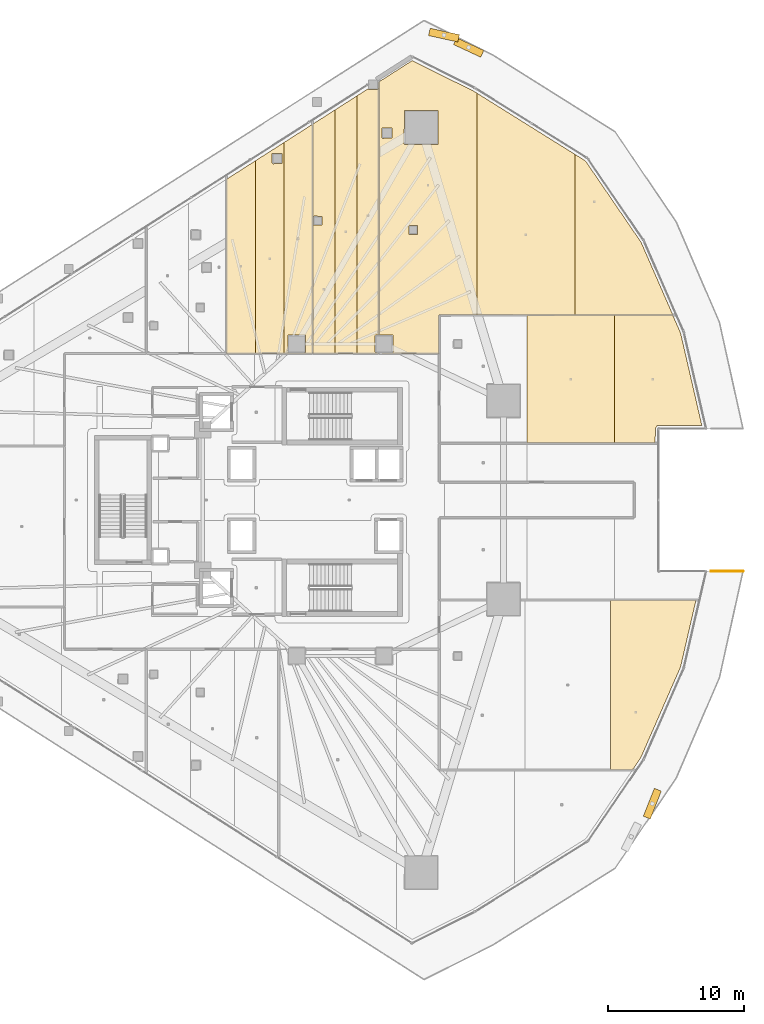
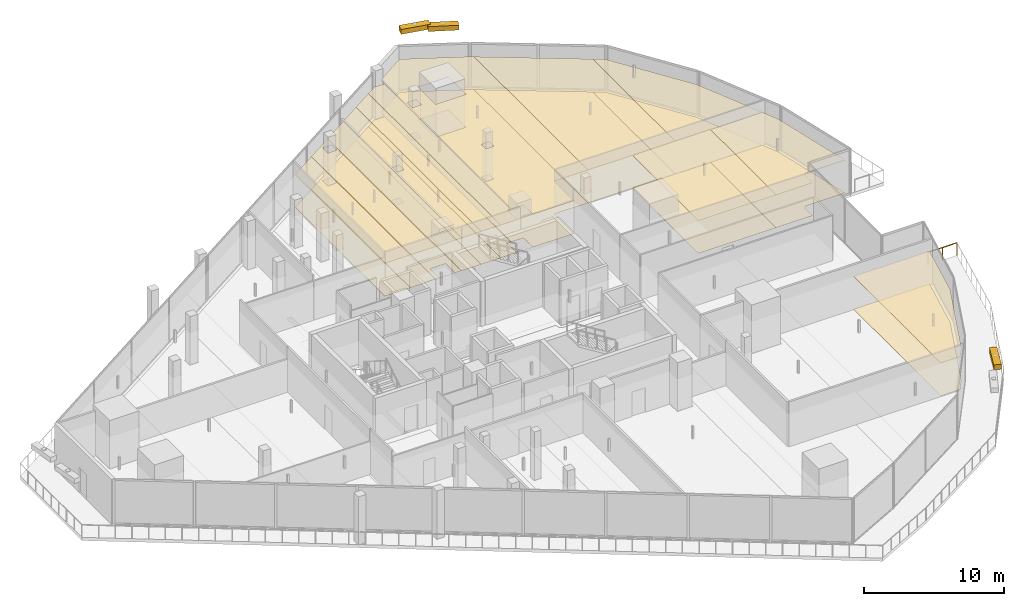
# One storey, part 45 of 45: 24 coverings, 3 shading devices, 1 railing.
"""IFC4 building model written with IfcOpenShell, lengths in metres."""

from ifc_helpers import new_model, si_unit, direction, frame, origin, origin_2d, place, context, subcontext, project, spatial, polyline, rectangle, circle, outline, extrude, material, layer, layer_set, type_object, element, save


model = new_model("IFC4")

# Units and contexts
model_context = context("Model", 3, precision=1e-05, world=origin(), true_north=direction((0.0, 1.0)))
body_context = subcontext(model_context, "Body", "Model", "MODEL_VIEW")
ifc_project = project(units=[si_unit("LENGTHUNIT", "METRE"), si_unit("AREAUNIT", "SQUARE_METRE"), si_unit("VOLUMEUNIT", "CUBIC_METRE"), si_unit("PLANEANGLEUNIT", "RADIAN"), si_unit("MASSUNIT", "GRAM", prefix="KILO")], contexts=[model_context])

# Site, building, storey
site_placement = place(None, origin())
site = spatial("IfcSite", under=ifc_project, at=site_placement, CompositionType="ELEMENT")
building_placement = place(site_placement, origin())
building = spatial("IfcBuilding", under=site, at=building_placement, Name="Qorvath Tower", CompositionType="ELEMENT")
storey_placement = place(building_placement, frame((0.0, 0.0, 66.0)))
storey = spatial("IfcBuildingStorey", under=building, at=storey_placement, Name="L14", CompositionType="ELEMENT", Elevation=66.0)

# Coverings
ifc_material_1 = material(Name="Acoustic mineral fibre ceiling tile", Category="gypsum")
ifc_layer_1 = layer(ifc_material_1, 0.030029296875)
ifc_layer_set_1 = layer_set([ifc_layer_1], Name="COV-CEIL")
covering_type_1 = type_object("IfcCoveringType", Name="COV-CEIL", PredefinedType="CEILING", material=ifc_layer_set_1)
covering_1_placement = place(storey_placement, frame((0.0, 0.0, 2.85009765625)))
element("IfcCovering", 1, at=covering_1_placement, inside=storey, type_object=covering_type_1, Name="L14 Suspended Acoustic Ceiling 012", PredefinedType="CEILING", context=body_context, shape_type="SweptSolid", body=[
    extrude(outline(polyline([(-28.74658203125, 10.762939453125), (-26.646484375, 10.762939453125), (-26.646484375, 24.887939453125), (-28.74658203125, 23.545654296875), (-28.74658203125, 10.762939453125)])), origin(), (0.0, 0.0, 1.0), 0.030029296875),
])
covering_2_placement = place(storey_placement, frame((0.0, 0.0, 2.85009765625)))
element("IfcCovering", 2, at=covering_2_placement, inside=storey, type_object=covering_type_1, Name="L14 Suspended Acoustic Ceiling 013", PredefinedType="CEILING", context=body_context, shape_type="SweptSolid", body=[
    extrude(outline(polyline([(-26.646484375, 24.887939453125), (-26.646484375, 10.762939453125), (-24.54638671875, 10.762939453125), (-24.54638671875, 26.230224609375), (-26.646484375, 24.887939453125)]), holes=[polyline([(-25.422607421875, 24.73388671875), (-25.405029296875, 25.42626953125), (-24.670166015625, 25.42626953125), (-24.670166015625, 24.69140625), (-25.362548828125, 24.673828125), (-25.422607421875, 24.73388671875)])]), origin(), (0.0, 0.0, 1.0), 0.030029296875),
])
covering_3_placement = place(storey_placement, frame((0.0, 0.0, 2.85009765625)))
element("IfcCovering", 3, at=covering_3_placement, inside=storey, type_object=covering_type_1, Name="L14 Suspended Acoustic Ceiling 014", PredefinedType="CEILING", context=body_context, shape_type="SweptSolid", body=[
    extrude(outline(polyline([(-24.54638671875, 26.230224609375), (-24.54638671875, 10.762939453125), (-22.4462890625, 10.762939453125), (-22.4462890625, 27.572509765625), (-24.54638671875, 26.230224609375)]), holes=[polyline([(-24.260009765625, 10.85009765625), (-24.242431640625, 12.092529296875), (-22.95751953125, 12.092529296875), (-22.95751953125, 10.8076171875), (-24.199951171875, 10.7900390625), (-24.260009765625, 10.85009765625)])]), origin(), (0.0, 0.0, 1.0), 0.030029296875),
])
covering_4_placement = place(storey_placement, frame((0.0, 0.0, 2.85009765625)))
element("IfcCovering", 4, at=covering_4_placement, inside=storey, type_object=covering_type_1, Name="L14 Suspended Acoustic Ceiling 015", PredefinedType="CEILING", context=body_context, shape_type="SweptSolid", body=[
    extrude(outline(polyline([(-20.814453125, 10.762939453125), (-20.814453125, 28.615478515625), (-22.42822265625, 27.583984375), (-22.42822265625, 10.762939453125), (-20.814453125, 10.762939453125)]), holes=[polyline([(-22.38818359375, 20.77001953125), (-22.328125, 20.829833984375), (-21.73583984375, 20.812255859375), (-21.73583984375, 20.177490234375), (-22.37060546875, 20.177490234375), (-22.38818359375, 20.77001953125)])]), origin(), (0.0, 0.0, 1.0), 0.030029296875),
])
covering_5_placement = place(storey_placement, frame((0.0, 0.0, 2.85009765625)))
element("IfcCovering", 5, at=covering_5_placement, inside=storey, type_object=covering_type_1, Name="L14 Suspended Acoustic Ceiling 016", PredefinedType="CEILING", context=body_context, shape_type="SweptSolid", body=[
    extrude(outline(polyline([(-19.200439453125, 10.762939453125), (-19.200439453125, 29.64697265625), (-20.814453125, 28.615478515625), (-20.814453125, 10.762939453125), (-19.200439453125, 10.762939453125)])), origin(), (0.0, 0.0, 1.0), 0.030029296875),
])
covering_6_placement = place(storey_placement, frame((0.0, 0.0, 2.85009765625)))
element("IfcCovering", 6, at=covering_6_placement, inside=storey, type_object=covering_type_1, Name="L14 Suspended Acoustic Ceiling 017", PredefinedType="CEILING", context=body_context, shape_type="SweptSolid", body=[
    extrude(outline(polyline([(-17.586669921875, 12.110107421875), (-17.586669921875, 30.678466796875), (-17.632568359375, 30.132568359375), (-18.324951171875, 30.114990234375), (-18.3828125, 30.16943359375), (-19.200439453125, 29.64697265625), (-19.200439453125, 10.762939453125), (-17.586669921875, 10.762939453125), (-17.860107421875, 10.85009765625), (-17.860107421875, 12.050048828125), (-17.800048828125, 12.110107421875), (-17.586669921875, 12.110107421875)])), origin(), (0.0, 0.0, 1.0), 0.030029296875),
])
covering_7_placement = place(storey_placement, frame((0.0, 0.0, 2.85009765625)))
element("IfcCovering", 7, at=covering_7_placement, inside=storey, type_object=covering_type_1, Name="L14 Suspended Acoustic Ceiling 018", PredefinedType="CEILING", context=body_context, shape_type="SweptSolid", body=[
    extrude(outline(polyline([(-13.153564453125, 13.568359375), (-10.381103515625, 13.570556640625), (-10.381103515625, 29.855224609375), (-10.621337890625, 30.00537109375), (-15.1396484375, 32.242431640625), (-17.568603515625, 30.68994140625), (-17.568603515625, 12.110107421875), (-16.5576171875, 12.092529296875), (-16.5400390625, 10.85009765625), (-16.60009765625, 10.7900390625), (-17.568603515625, 10.762939453125), (-13.155029296875, 10.762939453125), (-13.153564453125, 13.568359375)]), holes=[polyline([(-15.724365234375, 26.130615234375), (-15.706787109375, 28.5732421875), (-13.221923828125, 28.5732421875), (-13.221923828125, 26.08837890625), (-15.664306640625, 26.07080078125), (-15.724365234375, 26.130615234375)]), polyline([(-15.381103515625, 20.093017578125), (-15.321044921875, 20.153076171875), (-14.728759765625, 20.135498046875), (-14.728759765625, 19.500732421875), (-15.363525390625, 19.500732421875), (-15.381103515625, 20.093017578125)]), polyline([(-17.3662109375, 26.604248046875), (-17.3486328125, 27.296630859375), (-16.61376953125, 27.296630859375), (-16.61376953125, 26.561767578125), (-17.30615234375, 26.544189453125), (-17.3662109375, 26.604248046875)])]), origin(), (0.0, 0.0, 1.0), 0.030029296875),
])
covering_8_placement = place(storey_placement, frame((0.0, 0.0, 2.85009765625)))
element("IfcCovering", 8, at=covering_8_placement, inside=storey, type_object=covering_type_1, Name="L14 Suspended Acoustic Ceiling 019", PredefinedType="CEILING", context=body_context, shape_type="SweptSolid", body=[
    extrude(outline(polyline([(-10.381103515625, 29.855224609375), (-10.381103515625, 13.570556640625), (-3.193603515625, 13.576416015625), (-3.193603515625, 25.366943359375), (-10.381103515625, 29.855224609375)])), origin(), (0.0, 0.0, 1.0), 0.030029296875),
])
covering_9_placement = place(storey_placement, frame((0.0, 0.0, 2.85009765625)))
element("IfcCovering", 9, at=covering_9_placement, inside=storey, type_object=covering_type_1, Name="L14 Suspended Acoustic Ceiling 020", PredefinedType="CEILING", context=body_context, shape_type="SweptSolid", body=[
    extrude(outline(polyline([(-3.193603515625, 25.366943359375), (-3.193603515625, 13.576416015625), (3.993896484375, 13.582275390625), (1.66650390625, 18.9091796875), (-2.411376953125, 24.87841796875), (-3.193603515625, 25.366943359375)])), origin(), (0.0, 0.0, 1.0), 0.030029296875),
])
covering_10_placement = place(storey_placement, frame((0.0, 0.0, 2.85009765625)))
element("IfcCovering", 10, at=covering_10_placement, inside=storey, type_object=covering_type_1, Name="L14 Suspended Acoustic Ceiling 029", PredefinedType="CEILING", context=body_context, shape_type="SweptSolid", body=[
    extrude(outline(polyline([(-0.58349609375, -7.3408203125), (-0.58349609375, -19.81005859375), (1.026611328125, -19.810791015625), (1.64892578125, -18.899658203125), (4.558837890625, -12.25830078125), (5.693115234375, -7.3408203125), (-0.58349609375, -7.3408203125)])), origin(), (0.0, 0.0, 1.0), 0.030029296875),
])
covering_11_placement = place(storey_placement, frame((0.0, 0.0, 2.85009765625)))
element("IfcCovering", 11, at=covering_11_placement, inside=storey, type_object=covering_type_1, Name="L14 Suspended Acoustic Ceiling 034", PredefinedType="CEILING", context=body_context, shape_type="SweptSolid", body=[
    extrude(outline(polyline([(-0.2978515625, 4.178955078125), (-0.2978515625, 13.56103515625), (-6.71728515625, 13.556396484375), (-6.71728515625, 4.178955078125), (-0.2978515625, 4.178955078125)])), origin(), (0.0, 0.0, 1.0), 0.030029296875),
])
covering_12_placement = place(storey_placement, frame((0.0, 0.0, 2.85009765625)))
element("IfcCovering", 12, at=covering_12_placement, inside=storey, type_object=covering_type_1, Name="L14 Suspended Acoustic Ceiling 035", PredefinedType="CEILING", context=body_context, shape_type="SweptSolid", body=[
    extrude(outline(polyline([(2.85888671875, 5.462158203125), (6.121826171875, 5.482177734375), (4.558837890625, 12.25830078125), (3.986572265625, 13.564208984375), (-0.2978515625, 13.56103515625), (-0.2978515625, 4.178955078125), (2.70263671875, 4.178955078125), (2.703857421875, 5.251708984375), (2.85888671875, 5.462158203125)])), origin(), (0.0, 0.0, 1.0), 0.030029296875),
])
ifc_material_2 = material(Name="Low-VOC modular carpet tile", Category="textile")
ifc_layer_2 = layer(ifc_material_2, 0.014892578125)
ifc_layer_set_2 = layer_set([ifc_layer_2], Name="COV-FLOOR-CPT")
covering_type_2 = type_object("IfcCoveringType", Name="COV-FLOOR-CPT", PredefinedType="FLOORING", material=ifc_layer_set_2)
covering_13_placement = place(storey_placement, origin())
element("IfcCovering", 13, at=covering_13_placement, inside=storey, type_object=covering_type_2, Name="L14 Floor Finish 012", PredefinedType="FLOORING", context=body_context, shape_type="SweptSolid", body=[
    extrude(outline(polyline([(-28.74658203125, 10.762939453125), (-26.646484375, 10.762939453125), (-26.646484375, 24.887939453125), (-28.74658203125, 23.545654296875), (-28.74658203125, 10.762939453125)])), origin(), (0.0, 0.0, 1.0), 0.014892578125),
])
covering_14_placement = place(storey_placement, origin())
element("IfcCovering", 14, at=covering_14_placement, inside=storey, type_object=covering_type_2, Name="L14 Floor Finish 013", PredefinedType="FLOORING", context=body_context, shape_type="SweptSolid", body=[
    extrude(outline(polyline([(-26.646484375, 24.887939453125), (-26.646484375, 10.762939453125), (-24.54638671875, 10.762939453125), (-24.54638671875, 26.230224609375), (-26.646484375, 24.887939453125)]), holes=[polyline([(-25.422607421875, 24.73388671875), (-25.405029296875, 25.42626953125), (-24.670166015625, 25.42626953125), (-24.670166015625, 24.69140625), (-25.362548828125, 24.673828125), (-25.422607421875, 24.73388671875)])]), origin(), (0.0, 0.0, 1.0), 0.014892578125),
])
covering_15_placement = place(storey_placement, origin())
element("IfcCovering", 15, at=covering_15_placement, inside=storey, type_object=covering_type_2, Name="L14 Floor Finish 014", PredefinedType="FLOORING", context=body_context, shape_type="SweptSolid", body=[
    extrude(outline(polyline([(-24.54638671875, 26.230224609375), (-24.54638671875, 10.762939453125), (-22.4462890625, 10.762939453125), (-22.4462890625, 27.572509765625), (-24.54638671875, 26.230224609375)]), holes=[polyline([(-24.260009765625, 10.85009765625), (-24.242431640625, 12.092529296875), (-22.95751953125, 12.092529296875), (-22.95751953125, 10.8076171875), (-24.199951171875, 10.7900390625), (-24.260009765625, 10.85009765625)])]), origin(), (0.0, 0.0, 1.0), 0.014892578125),
])
covering_16_placement = place(storey_placement, origin())
element("IfcCovering", 16, at=covering_16_placement, inside=storey, type_object=covering_type_2, Name="L14 Floor Finish 015", PredefinedType="FLOORING", context=body_context, shape_type="SweptSolid", body=[
    extrude(outline(polyline([(-20.814453125, 10.762939453125), (-20.814453125, 28.615478515625), (-22.42822265625, 27.583984375), (-22.42822265625, 10.762939453125), (-20.814453125, 10.762939453125)]), holes=[polyline([(-22.38818359375, 20.77001953125), (-22.328125, 20.829833984375), (-21.73583984375, 20.812255859375), (-21.73583984375, 20.177490234375), (-22.37060546875, 20.177490234375), (-22.38818359375, 20.77001953125)])]), origin(), (0.0, 0.0, 1.0), 0.014892578125),
])
covering_17_placement = place(storey_placement, origin())
element("IfcCovering", 17, at=covering_17_placement, inside=storey, type_object=covering_type_2, Name="L14 Floor Finish 016", PredefinedType="FLOORING", context=body_context, shape_type="SweptSolid", body=[
    extrude(outline(polyline([(-19.200439453125, 10.762939453125), (-19.200439453125, 29.64697265625), (-20.814453125, 28.615478515625), (-20.814453125, 10.762939453125), (-19.200439453125, 10.762939453125)])), origin(), (0.0, 0.0, 1.0), 0.014892578125),
])
covering_18_placement = place(storey_placement, origin())
element("IfcCovering", 18, at=covering_18_placement, inside=storey, type_object=covering_type_2, Name="L14 Floor Finish 017", PredefinedType="FLOORING", context=body_context, shape_type="SweptSolid", body=[
    extrude(outline(polyline([(-17.586669921875, 12.110107421875), (-17.586669921875, 30.678466796875), (-17.632568359375, 30.132568359375), (-18.324951171875, 30.114990234375), (-18.3828125, 30.16943359375), (-19.200439453125, 29.64697265625), (-19.200439453125, 10.762939453125), (-17.586669921875, 10.762939453125), (-17.860107421875, 10.85009765625), (-17.860107421875, 12.050048828125), (-17.800048828125, 12.110107421875), (-17.586669921875, 12.110107421875)])), origin(), (0.0, 0.0, 1.0), 0.014892578125),
])
covering_19_placement = place(storey_placement, origin())
element("IfcCovering", 19, at=covering_19_placement, inside=storey, type_object=covering_type_2, Name="L14 Floor Finish 018", PredefinedType="FLOORING", context=body_context, shape_type="SweptSolid", body=[
    extrude(outline(polyline([(-13.153564453125, 13.568359375), (-10.381103515625, 13.570556640625), (-10.381103515625, 29.855224609375), (-10.621337890625, 30.00537109375), (-15.1396484375, 32.242431640625), (-17.568603515625, 30.68994140625), (-17.568603515625, 12.110107421875), (-16.5576171875, 12.092529296875), (-16.5400390625, 10.85009765625), (-16.60009765625, 10.7900390625), (-17.568603515625, 10.762939453125), (-13.155029296875, 10.762939453125), (-13.153564453125, 13.568359375)]), holes=[polyline([(-15.724365234375, 26.130615234375), (-15.706787109375, 28.5732421875), (-13.221923828125, 28.5732421875), (-13.221923828125, 26.08837890625), (-15.664306640625, 26.07080078125), (-15.724365234375, 26.130615234375)]), polyline([(-15.381103515625, 20.093017578125), (-15.321044921875, 20.153076171875), (-14.728759765625, 20.135498046875), (-14.728759765625, 19.500732421875), (-15.363525390625, 19.500732421875), (-15.381103515625, 20.093017578125)]), polyline([(-17.3662109375, 26.604248046875), (-17.3486328125, 27.296630859375), (-16.61376953125, 27.296630859375), (-16.61376953125, 26.561767578125), (-17.30615234375, 26.544189453125), (-17.3662109375, 26.604248046875)])]), origin(), (0.0, 0.0, 1.0), 0.014892578125),
])
covering_20_placement = place(storey_placement, origin())
element("IfcCovering", 20, at=covering_20_placement, inside=storey, type_object=covering_type_2, Name="L14 Floor Finish 019", PredefinedType="FLOORING", context=body_context, shape_type="SweptSolid", body=[
    extrude(outline(polyline([(-10.381103515625, 29.855224609375), (-10.381103515625, 13.570556640625), (-3.193603515625, 13.576416015625), (-3.193603515625, 25.366943359375), (-10.381103515625, 29.855224609375)])), origin(), (0.0, 0.0, 1.0), 0.014892578125),
])
covering_21_placement = place(storey_placement, origin())
element("IfcCovering", 21, at=covering_21_placement, inside=storey, type_object=covering_type_2, Name="L14 Floor Finish 020", PredefinedType="FLOORING", context=body_context, shape_type="SweptSolid", body=[
    extrude(outline(polyline([(-3.193603515625, 25.366943359375), (-3.193603515625, 13.576416015625), (3.993896484375, 13.582275390625), (1.66650390625, 18.9091796875), (-2.411376953125, 24.87841796875), (-3.193603515625, 25.366943359375)])), origin(), (0.0, 0.0, 1.0), 0.014892578125),
])
covering_22_placement = place(storey_placement, origin())
element("IfcCovering", 22, at=covering_22_placement, inside=storey, type_object=covering_type_2, Name="L14 Floor Finish 029", PredefinedType="FLOORING", context=body_context, shape_type="SweptSolid", body=[
    extrude(outline(polyline([(-0.58349609375, -7.3408203125), (-0.58349609375, -19.81005859375), (1.026611328125, -19.810791015625), (1.64892578125, -18.899658203125), (4.558837890625, -12.25830078125), (5.693115234375, -7.3408203125), (-0.58349609375, -7.3408203125)])), origin(), (0.0, 0.0, 1.0), 0.014892578125),
])
covering_23_placement = place(storey_placement, origin())
element("IfcCovering", 23, at=covering_23_placement, inside=storey, type_object=covering_type_2, Name="L14 Floor Finish 034", PredefinedType="FLOORING", context=body_context, shape_type="SweptSolid", body=[
    extrude(outline(polyline([(-0.2978515625, 4.178955078125), (-0.2978515625, 13.56103515625), (-6.71728515625, 13.556396484375), (-6.71728515625, 4.178955078125), (-0.2978515625, 4.178955078125)])), origin(), (0.0, 0.0, 1.0), 0.014892578125),
])
covering_24_placement = place(storey_placement, origin())
element("IfcCovering", 24, at=covering_24_placement, inside=storey, type_object=covering_type_2, Name="L14 Floor Finish 035", PredefinedType="FLOORING", context=body_context, shape_type="SweptSolid", body=[
    extrude(outline(polyline([(2.85888671875, 5.462158203125), (6.121826171875, 5.482177734375), (4.558837890625, 12.25830078125), (3.986572265625, 13.564208984375), (-0.2978515625, 13.56103515625), (-0.2978515625, 4.178955078125), (2.70263671875, 4.178955078125), (2.703857421875, 5.251708984375), (2.85888671875, 5.462158203125)])), origin(), (0.0, 0.0, 1.0), 0.014892578125),
])

# Railing
ifc_material_3 = material(Name="Laminated safety glass and stainless steel AISI 316", Category="steel")
railing_type = type_object("IfcRailingType", Name="RL-EXT-GRD", PredefinedType="GUARDRAIL", material=ifc_material_3)
railing_placement = place(storey_placement, frame((6.7919921875, -5.227294921875, 0.0)))
element("IfcRailing", 25, at=railing_placement, inside=storey, type_object=railing_type, Name="Loggia Perimeter Guardrail L14-1.2", PredefinedType="GUARDRAIL", context=body_context, shape_type="SweptSolid", body=[
    extrude(circle(Radius=0.02392578125, at=origin_2d()), frame((0.0, 0.0, 1.09619140625), z_axis=(1.0, 0.0, 0.0), x_axis=(0.0, 1.0, 0.0)), (0.0, 0.0, 1.0), 2.366455078125),
    extrude(circle(Radius=0.02099609375, at=origin_2d()), origin(), (0.0, 0.0, 1.0), 1.072021484375),
    extrude(circle(Radius=0.02099609375, at=origin_2d()), frame((1.18310546875, 0.0, 0.0)), (0.0, 0.0, 1.0), 1.072021484375),
    extrude(circle(Radius=0.02099609375, at=origin_2d()), frame((2.366455078125, 0.0, 0.0)), (0.0, 0.0, 1.0), 1.072021484375),
])

# Shading devices
ifc_material_4 = material(Name="Anodised bronze-champagne aluminium", Category="aluminium")
shading_device_type = type_object("IfcShadingDeviceType", Name="SD-LOUVRE", PredefinedType="JALOUSIE", material=ifc_material_4)
for number, where, z_axis, x_axis, name in (
    (26, (2.487060546875, -22.28515625, 3.5), (0.0, 0.0, 1.0), (0.366925022668, 0.930250518807, 0.0), "Sinusoidal Wave Louvre Blade L14-04"),
    (27, (-10.989013671875, 33.207275390625, 3.5), (0.0, 0.0, 1.0), (-0.906012522993, 0.423250880897, 0.0), "Sinusoidal Wave Louvre Blade L14-05"),
    (28, (-12.79931640625, 34.112548828125, 3.5), (0.0, 0.0, 1.0), (-0.976707494872, 0.214575090496, 0.0), "Sinusoidal Wave Louvre Blade L14-06"),
):
    element("IfcShadingDevice", number, at=place(storey_placement, frame(where, z_axis=z_axis, x_axis=x_axis)), inside=storey, type_object=shading_device_type, Name=name, PredefinedType="NOTDEFINED", context=body_context, shape_type="SweptSolid", body=[
        extrude(rectangle(XDim=2.199951171875, YDim=0.550048828125, at=origin_2d()), origin(), (0.0, 0.0, 1.0), 0.419921875),
    ])

save(model, "model.ifc")
